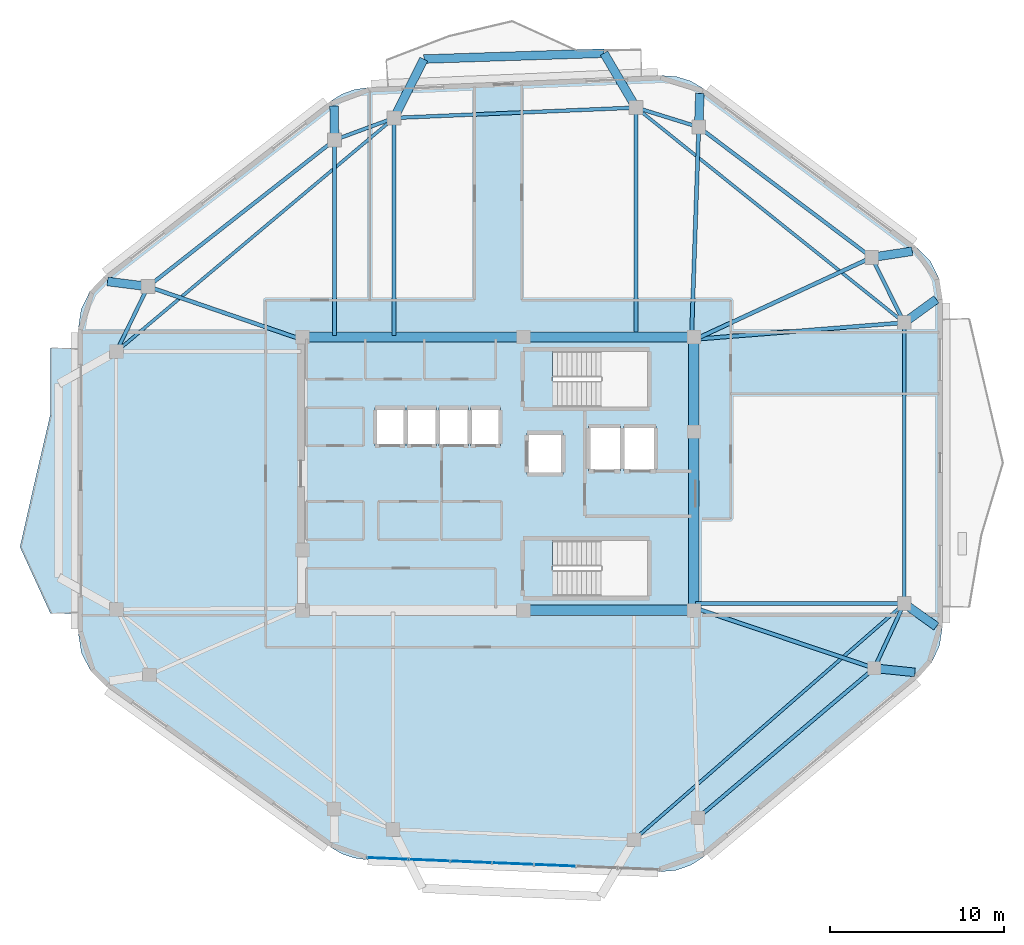
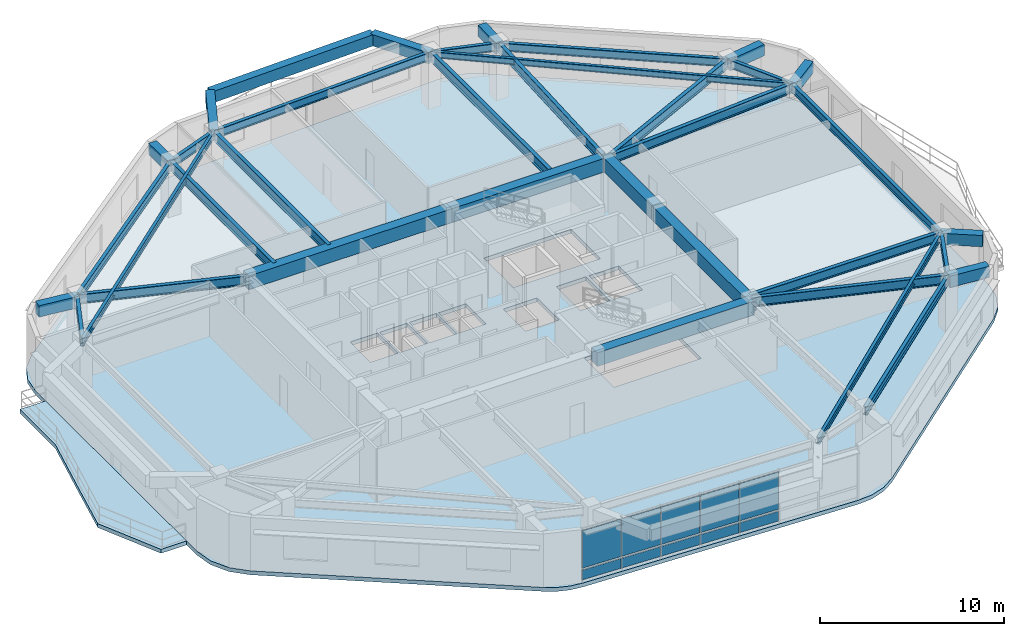
# One storey, part 6 of 13: 37 beams, 10 plates, 2 slabs, 1 element without a shape of its own.
"""IFC4 building model written with IfcOpenShell, lengths in metres."""

from ifc_helpers import new_model, si_unit, direction, frame, origin, origin_2d, place, context, subcontext, project, spatial, polyline, rectangle, i_section, outline, extrude, material, layer, layer_set, material_profile, profile_set, type_object, element, aggregate, save


model = new_model("IFC4")

# Units and contexts
model_context = context("Model", 3, precision=1e-05, world=origin(), true_north=direction((0.0, 1.0)))
body_context = subcontext(model_context, "Body", "Model", "MODEL_VIEW")
ifc_project = project(units=[si_unit("LENGTHUNIT", "METRE"), si_unit("AREAUNIT", "SQUARE_METRE"), si_unit("VOLUMEUNIT", "CUBIC_METRE"), si_unit("PLANEANGLEUNIT", "RADIAN"), si_unit("MASSUNIT", "GRAM", prefix="KILO")], contexts=[model_context])

# Site, building, storey
site_placement = place(None, origin())
site = spatial("IfcSite", under=ifc_project, at=site_placement, CompositionType="ELEMENT")
building_placement = place(site_placement, origin())
building = spatial("IfcBuilding", under=site, at=building_placement, Name="Zulverin Broadcast Headquarters", CompositionType="ELEMENT")
storey_placement = place(building_placement, frame((0.0, 0.0, 278.199951171875)))
storey = spatial("IfcBuildingStorey", under=building, at=storey_placement, Name="L71", CompositionType="ELEMENT", Elevation=278.199951171875)

# Beams
ifc_material_1 = material(Name="Concrete C60/75", Category="concrete")
ifc_material_profile_1 = material_profile(ifc_material_1, rectangle(XDim=0.60009765625, YDim=0.89990234375, at=origin_2d()), Name="Concrete C60/75", Category="concrete")
ifc_profile_set_1 = profile_set([ifc_material_profile_1], Name="Concrete C60/75")
beam_type_1 = type_object("IfcBeamType", Name="BM-CB-600x900", PredefinedType="LINTEL", material=ifc_profile_set_1)
beam_1_placement = place(storey_placement, frame((38.449951171875, 17.324951171875, 3.090087890625), z_axis=(1.0, 0.0, 0.0), x_axis=(0.0, 1.0, 0.0)))
element("IfcBeam", 1, at=beam_1_placement, inside=storey, type_object=beam_type_1, Name="L71 Core Coupling Girder K02-K03", PredefinedType="LINTEL", context=body_context, shape_type="SweptSolid", body=[
    extrude(rectangle(XDim=0.60009765625, YDim=0.89990234375, at=origin_2d()), origin(), (0.0, 0.0, 1.0), 9.824951171875),
])
beam_2_placement = place(storey_placement, frame((48.27490234375, 17.324951171875, 3.090087890625), z_axis=(0.0, 1.0, 0.0), x_axis=(-1.0, 0.0, 0.0)))
element("IfcBeam", 2, at=beam_2_placement, inside=storey, type_object=beam_type_1, Name="L71 Core Coupling Girder K03-K04", PredefinedType="LINTEL", context=body_context, shape_type="SweptSolid", body=[
    extrude(rectangle(XDim=0.60009765625, YDim=0.89990234375, at=origin_2d()), origin(), (0.0, 0.0, 1.0), 10.295166015625),
])
beam_3_placement = place(storey_placement, frame((48.27490234375, 27.6201171875, 3.090087890625), z_axis=(0.0, 1.0, 0.0), x_axis=(-1.0, 0.0, 0.0)))
element("IfcBeam", 3, at=beam_3_placement, inside=storey, type_object=beam_type_1, Name="L71 Core Coupling Girder K04-K05", PredefinedType="LINTEL", context=body_context, shape_type="SweptSolid", body=[
    extrude(rectangle(XDim=0.60009765625, YDim=0.89990234375, at=origin_2d()), origin(), (0.0, 0.0, 1.0), 5.454833984375),
])
beam_4_placement = place(storey_placement, frame((48.27490234375, 33.074951171875, 3.090087890625), z_axis=(-1.0, 0.0, 0.0), x_axis=(0.0, -1.0, 0.0)))
element("IfcBeam", 4, at=beam_4_placement, inside=storey, type_object=beam_type_1, Name="L71 Core Coupling Girder K05-K06", PredefinedType="LINTEL", context=body_context, shape_type="SweptSolid", body=[
    extrude(rectangle(XDim=0.60009765625, YDim=0.89990234375, at=origin_2d()), origin(), (0.0, 0.0, 1.0), 9.824951171875),
])
beam_5_placement = place(storey_placement, frame((38.449951171875, 33.074951171875, 3.090087890625), z_axis=(-1.0, 0.0, 0.0), x_axis=(0.0, -1.0, 0.0)))
element("IfcBeam", 5, at=beam_5_placement, inside=storey, type_object=beam_type_1, Name="L71 Core Coupling Girder K06-K07", PredefinedType="LINTEL", context=body_context, shape_type="SweptSolid", body=[
    extrude(rectangle(XDim=0.60009765625, YDim=0.89990234375, at=origin_2d()), origin(), (0.0, 0.0, 1.0), 12.724853515625),
])
ifc_material_2 = material(Name="Concrete C40/50", Category="concrete")
ifc_material_profile_2 = material_profile(ifc_material_2, rectangle(XDim=0.5, YDim=0.75, at=origin_2d()), Name="Concrete C40/50", Category="concrete")
ifc_profile_set_2 = profile_set([ifc_material_profile_2], Name="Concrete C40/50")
beam_type_2 = type_object("IfcBeamType", Name="BM-RC-500x750", PredefinedType="BEAM", material=ifc_profile_set_2)
beam_6_placement = place(storey_placement, frame((58.6748046875, 13.9892578125, 3.1650390625), z_axis=(0.994775761489, -0.10208420227, 0.0), x_axis=(0.10208420227, 0.994775761489, 0.0)))
element("IfcBeam", 6, at=beam_6_placement, inside=storey, type_object=beam_type_2, Name="L72 Plate Overhang Back-Spanned Beam OVR-04", PredefinedType="BEAM", context=body_context, shape_type="SweptSolid", body=[
    extrude(rectangle(XDim=0.5, YDim=0.75, at=origin_2d()), origin(), (0.0, 0.0, 1.0), 2.350830078125),
])
beam_7_placement = place(storey_placement, frame((60.39990234375, 17.713623046875, 3.1650390625), z_axis=(0.814437263455, -0.580251621192, 0.0), x_axis=(0.580251621192, 0.814437263455, 0.0)))
element("IfcBeam", 7, at=beam_7_placement, inside=storey, type_object=beam_type_2, Name="L72 Plate Overhang Back-Spanned Beam OVR-05", PredefinedType="BEAM", context=body_context, shape_type="SweptSolid", body=[
    extrude(rectangle(XDim=0.5, YDim=0.75, at=origin_2d()), origin(), (0.0, 0.0, 1.0), 2.271728515625),
])
beam_8_placement = place(storey_placement, frame((60.39990234375, 33.903076171875, 3.1650390625), z_axis=(0.80844534591, 0.588571255395, 0.0), x_axis=(-0.588571255395, 0.80844534591, 0.0)))
element("IfcBeam", 8, at=beam_8_placement, inside=storey, type_object=beam_type_2, Name="L72 Plate Overhang Back-Spanned Beam OVR-06", PredefinedType="BEAM", context=body_context, shape_type="SweptSolid", body=[
    extrude(rectangle(XDim=0.5, YDim=0.75, at=origin_2d()), origin(), (0.0, 0.0, 1.0), 2.28857421875),
])
beam_9_placement = place(storey_placement, frame((58.52587890625, 37.661865234375, 3.1650390625), z_axis=(0.988495750069, 0.151248643286, 0.0), x_axis=(-0.151248643286, 0.988495750069, 0.0)))
element("IfcBeam", 9, at=beam_9_placement, inside=storey, type_object=beam_type_2, Name="L72 Plate Overhang Back-Spanned Beam OVR-07", PredefinedType="BEAM", context=body_context, shape_type="SweptSolid", body=[
    extrude(rectangle(XDim=0.5, YDim=0.75, at=origin_2d()), origin(), (0.0, 0.0, 1.0), 2.35986328125),
])
beam_10_placement = place(storey_placement, frame((48.55908203125, 45.172607421875, 3.1650390625), z_axis=(0.032637714701, 0.999467247877, 0.0), x_axis=(-0.999467247877, 0.032637714701, 0.0)))
element("IfcBeam", 10, at=beam_10_placement, inside=storey, type_object=beam_type_2, Name="L72 Plate Overhang Back-Spanned Beam OVR-08", PredefinedType="BEAM", context=body_context, shape_type="SweptSolid", body=[
    extrude(rectangle(XDim=0.5, YDim=0.75, at=origin_2d()), origin(), (0.0, 0.0, 1.0), 1.94482421875),
])
beam_11_placement = place(storey_placement, frame((27.573486328125, 44.4296875, 3.1650390625), z_axis=(-0.015261577794, 0.99988353534, 0.0), x_axis=(-0.99988353534, -0.015261577794, 0.0)))
element("IfcBeam", 11, at=beam_11_placement, inside=storey, type_object=beam_type_2, Name="L72 Plate Overhang Back-Spanned Beam OVR-11", PredefinedType="BEAM", context=body_context, shape_type="SweptSolid", body=[
    extrude(rectangle(XDim=0.5, YDim=0.75, at=origin_2d()), origin(), (0.0, 0.0, 1.0), 1.95166015625),
])
beam_12_placement = place(storey_placement, frame((16.82177734375, 35.98388671875, 3.1650390625), z_axis=(-0.992249101717, 0.124264718012, 0.0), x_axis=(-0.124264718012, -0.992249101717, 0.0)))
element("IfcBeam", 12, at=beam_12_placement, inside=storey, type_object=beam_type_2, Name="L72 Plate Overhang Back-Spanned Beam OVR-12", PredefinedType="BEAM", context=body_context, shape_type="SweptSolid", body=[
    extrude(rectangle(XDim=0.5, YDim=0.75, at=origin_2d()), origin(), (0.0, 0.0, 1.0), 2.351806640625),
])
beam_13_placement = place(storey_placement, frame((44.944580078125, 46.296630859375, 3.1650390625), z_axis=(-0.507398597707, 0.8617114732, 0.0), x_axis=(-0.8617114732, -0.507398597707, 0.0)))
element("IfcBeam", 13, at=beam_13_placement, inside=storey, type_object=beam_type_2, Name="L72 Balcony Column-Framed Cantilever BAL_N-1", PredefinedType="BEAM", context=body_context, shape_type="SweptSolid", body=[
    extrude(rectangle(XDim=0.5, YDim=0.75, at=origin_2d()), origin(), (0.0, 0.0, 1.0), 3.63623046875),
])
beam_14_placement = place(storey_placement, frame((31.006591796875, 45.699951171875, 3.1650390625), z_axis=(0.450063974844, 0.892996314969, 0.0), x_axis=(-0.892996314969, 0.450063974844, 0.0)))
element("IfcBeam", 14, at=beam_14_placement, inside=storey, type_object=beam_type_2, Name="L72 Balcony Column-Framed Cantilever BAL_N-2", PredefinedType="BEAM", context=body_context, shape_type="SweptSolid", body=[
    extrude(rectangle(XDim=0.5, YDim=0.75, at=origin_2d()), origin(), (0.0, 0.0, 1.0), 3.7998046875),
])
beam_15_placement = place(storey_placement, frame((43.099609375, 49.429931640625, 3.1650390625), z_axis=(-0.999474701317, -0.032408662837, 0.0), x_axis=(0.032408662837, -0.999474701317, 0.0)))
element("IfcBeam", 15, at=beam_15_placement, inside=storey, type_object=beam_type_2, Name="L72 Balcony Outer Edge Trimmer Beam BAL_N", PredefinedType="BEAM", context=body_context, shape_type="SweptSolid", body=[
    extrude(rectangle(XDim=0.5, YDim=0.75, at=origin_2d()), origin(), (0.0, 0.0, 1.0), 10.38818359375),
])
ifc_material_3 = material(Name="Structural steel S355JR", Category="steel")
ifc_material_profile_3 = material_profile(ifc_material_3, i_section(OverallWidth=0.179443359375, OverallDepth=0.412841796875, WebThickness=0.009521484375, FlangeThickness=0.01611328125, at=origin_2d()), Name="Structural steel S355JR", Category="steel")
ifc_profile_set_3 = profile_set([ifc_material_profile_3], Name="Structural steel S355JR")
beam_type_3 = type_object("IfcBeamType", Name="BM-UB-406", PredefinedType="JOIST", material=ifc_profile_set_3)
beam_16_placement = place(storey_placement, frame((44.826904296875, 4.1083984375, 3.333740234375), z_axis=(0.753083303383, 0.657925176723, 0.0), x_axis=(-0.657925176723, 0.753083303383, 0.0)))
element("IfcBeam", 16, at=beam_16_placement, inside=storey, type_object=beam_type_3, Name="L71 Chordal Floor Joist J-01", PredefinedType="JOIST", context=body_context, shape_type="SweptSolid", body=[
    extrude(i_section(OverallWidth=0.179443359375, OverallDepth=0.412841796875, WebThickness=0.009521484375, FlangeThickness=0.01611328125, at=origin_2d()), origin(), (0.0, 0.0, 1.0), 20.678955078125),
])
beam_17_placement = place(storey_placement, frame((60.39990234375, 33.903076171875, 3.333740234375), z_axis=(-0.78014690603, 0.625596359493, 0.0), x_axis=(-0.625596359493, -0.78014690603, 0.0)))
element("IfcBeam", 17, at=beam_17_placement, inside=storey, type_object=beam_type_3, Name="L71 Chordal Floor Joist J-02", PredefinedType="JOIST", context=body_context, shape_type="SweptSolid", body=[
    extrude(i_section(OverallWidth=0.179443359375, OverallDepth=0.412841796875, WebThickness=0.009521484375, FlangeThickness=0.01611328125, at=origin_2d()), origin(), (0.0, 0.0, 1.0), 19.810791015625),
])
beam_18_placement = place(storey_placement, frame((31.006591796875, 45.699951171875, 3.333740234375), z_axis=(-0.765273089862, -0.643705754156, 0.0), x_axis=(0.643705754156, -0.765273089862, 0.0)))
element("IfcBeam", 18, at=beam_18_placement, inside=storey, type_object=beam_type_3, Name="L71 Chordal Floor Joist J-03", PredefinedType="JOIST", context=body_context, shape_type="SweptSolid", body=[
    extrude(i_section(OverallWidth=0.179443359375, OverallDepth=0.412841796875, WebThickness=0.009521484375, FlangeThickness=0.01611328125, at=origin_2d()), origin(), (0.0, 0.0, 1.0), 20.916259765625),
])
ifc_material_profile_4 = material_profile(ifc_material_3, i_section(OverallWidth=0.2119140625, OverallDepth=0.54443359375, WebThickness=0.0126953125, FlangeThickness=0.021240234375, at=origin_2d()), Name="Structural steel S355JR", Category="steel")
ifc_profile_set_4 = profile_set([ifc_material_profile_4], Name="Structural steel S355JR")
beam_type_4 = type_object("IfcBeamType", Name="BM-UB-533", PredefinedType="SPANDREL", material=ifc_profile_set_4)
beam_19_placement = place(storey_placement, frame((48.5078125, 5.3701171875, 3.267822265625), z_axis=(0.762782889345, 0.646654671152, 0.0), x_axis=(-0.646654671152, 0.762782889345, 0.0)))
element("IfcBeam", 19, at=beam_19_placement, inside=storey, type_object=beam_type_4, Name="L71 Perimeter Spandrel Beam SP-03", PredefinedType="SPANDREL", context=body_context, shape_type="SweptSolid", body=[
    extrude(i_section(OverallWidth=0.2119140625, OverallDepth=0.54443359375, WebThickness=0.0126953125, FlangeThickness=0.021240234375, at=origin_2d()), origin(), (0.0, 0.0, 1.0), 13.328857421875),
])
beam_20_placement = place(storey_placement, frame((58.6748046875, 13.9892578125, 3.267822265625), z_axis=(0.420294999852, 0.907387520908, 0.0), x_axis=(-0.907387520908, 0.420294999852, 0.0)))
element("IfcBeam", 20, at=beam_20_placement, inside=storey, type_object=beam_type_4, Name="L71 Perimeter Spandrel Beam SP-04", PredefinedType="SPANDREL", context=body_context, shape_type="SweptSolid", body=[
    extrude(i_section(OverallWidth=0.2119140625, OverallDepth=0.54443359375, WebThickness=0.0126953125, FlangeThickness=0.021240234375, at=origin_2d()), origin(), (0.0, 0.0, 1.0), 4.1044921875),
])
beam_21_placement = place(storey_placement, frame((60.39990234375, 17.713623046875, 3.267822265625), z_axis=(0.0, 1.0, 0.0), x_axis=(-1.0, 0.0, 0.0)))
element("IfcBeam", 21, at=beam_21_placement, inside=storey, type_object=beam_type_4, Name="L71 Perimeter Spandrel Beam SP-05", PredefinedType="SPANDREL", context=body_context, shape_type="SweptSolid", body=[
    extrude(i_section(OverallWidth=0.2119140625, OverallDepth=0.54443359375, WebThickness=0.0126953125, FlangeThickness=0.021240234375, at=origin_2d()), origin(), (0.0, 0.0, 1.0), 16.189453125),
])
beam_22_placement = place(storey_placement, frame((60.39990234375, 33.903076171875, 3.267822265625), z_axis=(-0.446190250792, 0.894938131995, 0.0), x_axis=(-0.894938131995, -0.446190250792, 0.0)))
element("IfcBeam", 22, at=beam_22_placement, inside=storey, type_object=beam_type_4, Name="L71 Perimeter Spandrel Beam SP-06", PredefinedType="SPANDREL", context=body_context, shape_type="SweptSolid", body=[
    extrude(i_section(OverallWidth=0.2119140625, OverallDepth=0.54443359375, WebThickness=0.0126953125, FlangeThickness=0.021240234375, at=origin_2d()), origin(), (0.0, 0.0, 1.0), 4.199951171875),
])
beam_23_placement = place(storey_placement, frame((58.52587890625, 37.661865234375, 3.267822265625), z_axis=(-0.798626958847, 0.60182637081, 0.0), x_axis=(-0.60182637081, -0.798626958847, 0.0)))
element("IfcBeam", 23, at=beam_23_placement, inside=storey, type_object=beam_type_4, Name="L71 Perimeter Spandrel Beam SP-07", PredefinedType="SPANDREL", context=body_context, shape_type="SweptSolid", body=[
    extrude(i_section(OverallWidth=0.2119140625, OverallDepth=0.54443359375, WebThickness=0.0126953125, FlangeThickness=0.021240234375, at=origin_2d()), origin(), (0.0, 0.0, 1.0), 12.47998046875),
])
beam_24_placement = place(storey_placement, frame((48.55908203125, 45.172607421875, 3.267822265625), z_axis=(-0.954893359596, 0.296948938033, 0.0), x_axis=(-0.296948938033, -0.954893359596, 0.0)))
element("IfcBeam", 24, at=beam_24_placement, inside=storey, type_object=beam_type_4, Name="L71 Perimeter Spandrel Beam SP-08", PredefinedType="SPANDREL", context=body_context, shape_type="SweptSolid", body=[
    extrude(i_section(OverallWidth=0.2119140625, OverallDepth=0.54443359375, WebThickness=0.0126953125, FlangeThickness=0.021240234375, at=origin_2d()), origin(), (0.0, 0.0, 1.0), 3.78515625),
])
beam_25_placement = place(storey_placement, frame((44.944580078125, 46.296630859375, 3.267822265625), z_axis=(-0.999084926695, -0.042770424958, 0.0), x_axis=(0.042770424958, -0.999084926695, 0.0)))
element("IfcBeam", 25, at=beam_25_placement, inside=storey, type_object=beam_type_4, Name="L71 Perimeter Spandrel Beam SP-09", PredefinedType="SPANDREL", context=body_context, shape_type="SweptSolid", body=[
    extrude(i_section(OverallWidth=0.2119140625, OverallDepth=0.54443359375, WebThickness=0.0126953125, FlangeThickness=0.021240234375, at=origin_2d()), origin(), (0.0, 0.0, 1.0), 13.95068359375),
])
beam_26_placement = place(storey_placement, frame((31.006591796875, 45.699951171875, 3.267822265625), z_axis=(-0.937860540342, -0.347012401607, 0.0), x_axis=(0.347012401607, -0.937860540342, 0.0)))
element("IfcBeam", 26, at=beam_26_placement, inside=storey, type_object=beam_type_4, Name="L71 Perimeter Spandrel Beam SP-10", PredefinedType="SPANDREL", context=body_context, shape_type="SweptSolid", body=[
    extrude(i_section(OverallWidth=0.2119140625, OverallDepth=0.54443359375, WebThickness=0.0126953125, FlangeThickness=0.021240234375, at=origin_2d()), origin(), (0.0, 0.0, 1.0), 3.66064453125),
])
beam_27_placement = place(storey_placement, frame((27.573486328125, 44.4296875, 3.267822265625), z_axis=(-0.786388352061, -0.617732433779, 0.0), x_axis=(0.617732433779, -0.786388352061, 0.0)))
element("IfcBeam", 27, at=beam_27_placement, inside=storey, type_object=beam_type_4, Name="L71 Perimeter Spandrel Beam SP-11", PredefinedType="SPANDREL", context=body_context, shape_type="SweptSolid", body=[
    extrude(i_section(OverallWidth=0.2119140625, OverallDepth=0.54443359375, WebThickness=0.0126953125, FlangeThickness=0.021240234375, at=origin_2d()), origin(), (0.0, 0.0, 1.0), 13.67236328125),
])
beam_28_placement = place(storey_placement, frame((16.82177734375, 35.98388671875, 3.267822265625), z_axis=(-0.437178884994, -0.899374572976, 0.0), x_axis=(0.899374572976, -0.437178884994, 0.0)))
element("IfcBeam", 28, at=beam_28_placement, inside=storey, type_object=beam_type_4, Name="L71 Perimeter Spandrel Beam SP-12", PredefinedType="SPANDREL", context=body_context, shape_type="SweptSolid", body=[
    extrude(i_section(OverallWidth=0.2119140625, OverallDepth=0.54443359375, WebThickness=0.0126953125, FlangeThickness=0.021240234375, at=origin_2d()), origin(), (0.0, 0.0, 1.0), 4.167236328125),
])
ifc_material_profile_5 = material_profile(ifc_material_3, i_section(OverallWidth=0.230224609375, OverallDepth=0.6171875, WebThickness=0.01318359375, FlangeThickness=0.022216796875, at=origin_2d()), Name="Structural steel S355JR", Category="steel")
ifc_profile_set_5 = profile_set([ifc_material_profile_5], Name="Structural steel S355JR")
beam_type_5 = type_object("IfcBeamType", Name="BM-UB-610", PredefinedType="BEAM", material=ifc_profile_set_5)
beam_29_placement = place(storey_placement, frame((48.375, 17.449951171875, 3.2314453125), z_axis=(0.947923372096, -0.318498478228, 0.0), x_axis=(0.318498478228, 0.947923372096, 0.0)))
element("IfcBeam", 29, at=beam_29_placement, inside=storey, type_object=beam_type_5, Name="L71 Radial Primary Floor Beam RB-04", PredefinedType="BEAM", context=body_context, shape_type="SweptSolid", body=[
    extrude(i_section(OverallWidth=0.230224609375, OverallDepth=0.6171875, WebThickness=0.01318359375, FlangeThickness=0.022216796875, at=origin_2d()), origin(), (0.0, 0.0, 1.0), 10.86572265625),
])
beam_30_placement = place(storey_placement, frame((48.375, 17.713623046875, 3.2314453125), z_axis=(1.0, 0.0, 0.0), x_axis=(0.0, 1.0, 0.0)))
element("IfcBeam", 30, at=beam_30_placement, inside=storey, type_object=beam_type_5, Name="L71 Radial Primary Floor Beam RB-05", PredefinedType="BEAM", context=body_context, shape_type="SweptSolid", body=[
    extrude(i_section(OverallWidth=0.230224609375, OverallDepth=0.6171875, WebThickness=0.01318359375, FlangeThickness=0.022216796875, at=origin_2d()), origin(), (0.0, 0.0, 1.0), 12.02490234375),
])
beam_31_placement = place(storey_placement, frame((48.375, 32.949951171875, 3.2314453125), z_axis=(0.996873444671, 0.079014779064, 0.0), x_axis=(-0.079014779064, 0.996873444671, 0.0)))
element("IfcBeam", 31, at=beam_31_placement, inside=storey, type_object=beam_type_5, Name="L71 Radial Primary Floor Beam RB-06", PredefinedType="BEAM", context=body_context, shape_type="SweptSolid", body=[
    extrude(i_section(OverallWidth=0.230224609375, OverallDepth=0.6171875, WebThickness=0.01318359375, FlangeThickness=0.022216796875, at=origin_2d()), origin(), (0.0, 0.0, 1.0), 12.0625),
])
beam_32_placement = place(storey_placement, frame((48.375, 32.949951171875, 3.2314453125), z_axis=(0.90704288978, 0.421038235912, 0.0), x_axis=(-0.421038235912, 0.90704288978, 0.0)))
element("IfcBeam", 32, at=beam_32_placement, inside=storey, type_object=beam_type_5, Name="L71 Radial Primary Floor Beam RB-07", PredefinedType="BEAM", context=body_context, shape_type="SweptSolid", body=[
    extrude(i_section(OverallWidth=0.230224609375, OverallDepth=0.6171875, WebThickness=0.01318359375, FlangeThickness=0.022216796875, at=origin_2d()), origin(), (0.0, 0.0, 1.0), 11.191162109375),
])
beam_33_placement = place(storey_placement, frame((48.14990234375, 33.175048828125, 3.2314453125), z_axis=(0.034085428247, 0.999418922965, 0.0), x_axis=(-0.999418922965, 0.034085428247, 0.0)))
element("IfcBeam", 33, at=beam_33_placement, inside=storey, type_object=beam_type_5, Name="L71 Radial Primary Floor Beam RB-08", PredefinedType="BEAM", context=body_context, shape_type="SweptSolid", body=[
    extrude(i_section(OverallWidth=0.230224609375, OverallDepth=0.6171875, WebThickness=0.01318359375, FlangeThickness=0.022216796875, at=origin_2d()), origin(), (0.0, 0.0, 1.0), 12.004638671875),
])
beam_34_placement = place(storey_placement, frame((44.944580078125, 33.175048828125, 3.2314453125), z_axis=(0.0, 1.0, 0.0), x_axis=(-1.0, 0.0, 0.0)))
element("IfcBeam", 34, at=beam_34_placement, inside=storey, type_object=beam_type_5, Name="L71 Radial Primary Floor Beam RB-09", PredefinedType="BEAM", context=body_context, shape_type="SweptSolid", body=[
    extrude(i_section(OverallWidth=0.230224609375, OverallDepth=0.6171875, WebThickness=0.01318359375, FlangeThickness=0.022216796875, at=origin_2d()), origin(), (0.0, 0.0, 1.0), 13.12158203125),
])
beam_35_placement = place(storey_placement, frame((31.006591796875, 33.175048828125, 3.2314453125), z_axis=(0.0, 1.0, 0.0), x_axis=(-1.0, 0.0, 0.0)))
element("IfcBeam", 35, at=beam_35_placement, inside=storey, type_object=beam_type_5, Name="L71 Radial Primary Floor Beam RB-10", PredefinedType="BEAM", context=body_context, shape_type="SweptSolid", body=[
    extrude(i_section(OverallWidth=0.230224609375, OverallDepth=0.6171875, WebThickness=0.01318359375, FlangeThickness=0.022216796875, at=origin_2d()), origin(), (0.0, 0.0, 1.0), 12.52490234375),
])
beam_36_placement = place(storey_placement, frame((27.573486328125, 33.175048828125, 3.2314453125), z_axis=(0.0, 1.0, 0.0), x_axis=(-1.0, 0.0, 0.0)))
element("IfcBeam", 36, at=beam_36_placement, inside=storey, type_object=beam_type_5, Name="L71 Radial Primary Floor Beam RB-11", PredefinedType="BEAM", context=body_context, shape_type="SweptSolid", body=[
    extrude(i_section(OverallWidth=0.230224609375, OverallDepth=0.6171875, WebThickness=0.01318359375, FlangeThickness=0.022216796875, at=origin_2d()), origin(), (0.0, 0.0, 1.0), 11.254638671875),
])
beam_37_placement = place(storey_placement, frame((25.625, 32.949951171875, 3.2314453125), z_axis=(-0.945427859505, 0.325831493984, 0.0), x_axis=(-0.325831493984, -0.945427859505, 0.0)))
element("IfcBeam", 37, at=beam_37_placement, inside=storey, type_object=beam_type_5, Name="L71 Radial Primary Floor Beam RB-12", PredefinedType="BEAM", context=body_context, shape_type="SweptSolid", body=[
    extrude(i_section(OverallWidth=0.230224609375, OverallDepth=0.6171875, WebThickness=0.01318359375, FlangeThickness=0.022216796875, at=origin_2d()), origin(), (0.0, 0.0, 1.0), 9.311279296875),
])

# Curtain wall, plates
ifc_material_4 = material(Name="High-zone solar-control unitised curtain wall", Category="aluminium")
curtain_wall_type = type_object("IfcCurtainWallType", Name="CW-TWR-UPP", PredefinedType="USERDEFINED", material=ifc_material_4)
curtain_wall_placement = place(storey_placement, origin())
curtain_wall = element("IfcCurtainWall", 38, at=curtain_wall_placement, inside=storey, type_object=curtain_wall_type, Name="L71 Unitised Curtain Wall CW-L71-E1", ObjectType="UNITISED CURTAIN WALL", PredefinedType="USERDEFINED")
ifc_material_5 = material(Name="Low-E double-glazed pale-silver vision glass", Category="glass")
ifc_layer_1 = layer(ifc_material_5, 0.035888671875, Name="Low-E double-glazed pale-silver vision glass", Category="glass")
ifc_layer_set_1 = layer_set([ifc_layer_1], Name="Low-E double-glazed pale-silver vision glass")
plate_type_1 = type_object("IfcPlateType", Name="CW-PNL-GLZ", PredefinedType="CURTAIN_PANEL", material=ifc_layer_set_1)
plate_1_placement = place(storey_placement, frame((30.6318359375, 3.023681640625, 0.914794921875), z_axis=(0.0, 0.0, 1.0), x_axis=(0.99915627139, -0.041070005388, 0.0)))
plate_1 = element("IfcPlate", 39, at=plate_1_placement, type_object=plate_type_1, Name="CW-L71-E1 Vision Panel 00", PredefinedType="CURTAIN_PANEL", context=body_context, shape_type="SweptSolid", body=[
    extrude(rectangle(XDim=2.370849609375, YDim=0.035888671875, at=origin_2d()), origin(), (0.0, 0.0, 1.0), 2.4853515625),
])
plate_2_placement = place(storey_placement, frame((33.040771484375, 2.9248046875, 0.914794921875), z_axis=(0.0, 0.0, 1.0), x_axis=(0.99915627139, -0.041070005388, 0.0)))
plate_2 = element("IfcPlate", 40, at=plate_2_placement, type_object=plate_type_1, Name="CW-L71-E1 Vision Panel 01", PredefinedType="CURTAIN_PANEL", context=body_context, shape_type="SweptSolid", body=[
    extrude(rectangle(XDim=2.370849609375, YDim=0.035888671875, at=origin_2d()), origin(), (0.0, 0.0, 1.0), 2.4853515625),
])
plate_3_placement = place(storey_placement, frame((35.44970703125, 2.82568359375, 0.914794921875), z_axis=(0.0, 0.0, 1.0), x_axis=(0.99915627139, -0.041070005388, 0.0)))
plate_3 = element("IfcPlate", 41, at=plate_3_placement, type_object=plate_type_1, Name="CW-L71-E1 Vision Panel 02", PredefinedType="CURTAIN_PANEL", context=body_context, shape_type="SweptSolid", body=[
    extrude(rectangle(XDim=2.370849609375, YDim=0.035888671875, at=origin_2d()), origin(), (0.0, 0.0, 1.0), 2.4853515625),
])
plate_4_placement = place(storey_placement, frame((37.8583984375, 2.726806640625, 0.914794921875), z_axis=(0.0, 0.0, 1.0), x_axis=(0.99915627139, -0.041070005388, 0.0)))
plate_4 = element("IfcPlate", 42, at=plate_4_placement, type_object=plate_type_1, Name="CW-L71-E1 Vision Panel 03", PredefinedType="CURTAIN_PANEL", context=body_context, shape_type="SweptSolid", body=[
    extrude(rectangle(XDim=2.370849609375, YDim=0.035888671875, at=origin_2d()), origin(), (0.0, 0.0, 1.0), 2.4853515625),
])
plate_5_placement = place(storey_placement, frame((40.267333984375, 2.627685546875, 0.914794921875), z_axis=(0.0, 0.0, 1.0), x_axis=(0.99915627139, -0.041070005388, 0.0)))
plate_5 = element("IfcPlate", 43, at=plate_5_placement, type_object=plate_type_1, Name="CW-L71-E1 Vision Panel 04", PredefinedType="CURTAIN_PANEL", context=body_context, shape_type="SweptSolid", body=[
    extrude(rectangle(XDim=2.370849609375, YDim=0.035888671875, at=origin_2d()), origin(), (0.0, 0.0, 1.0), 2.4853515625),
])
ifc_material_6 = material(Name="Insulated brushed pale-aluminium spandrel cassette", Category="aluminium")
ifc_layer_2 = layer(ifc_material_6, 0.050048828125, Name="Insulated brushed pale-aluminium spandrel cassette", Category="aluminium")
ifc_layer_set_2 = layer_set([ifc_layer_2], Name="Insulated brushed pale-aluminium spandrel cassette")
plate_type_2 = type_object("IfcPlateType", Name="CW-PNL-SPN", PredefinedType="CURTAIN_PANEL", material=ifc_layer_set_2)
plate_6_placement = place(storey_placement, frame((30.6318359375, 3.023681640625, 0.14013671875), z_axis=(0.0, 0.0, 1.0), x_axis=(0.99915627139, -0.041070005388, 0.0)))
plate_6 = element("IfcPlate", 44, at=plate_6_placement, type_object=plate_type_2, Name="CW-L71-E1 Spandrel Cassette 00", PredefinedType="CURTAIN_PANEL", context=body_context, shape_type="SweptSolid", body=[
    extrude(rectangle(XDim=2.370849609375, YDim=0.050048828125, at=origin_2d()), origin(), (0.0, 0.0, 1.0), 0.64453125),
])
plate_7_placement = place(storey_placement, frame((33.040771484375, 2.9248046875, 0.14013671875), z_axis=(0.0, 0.0, 1.0), x_axis=(0.99915627139, -0.041070005388, 0.0)))
plate_7 = element("IfcPlate", 45, at=plate_7_placement, type_object=plate_type_2, Name="CW-L71-E1 Spandrel Cassette 01", PredefinedType="CURTAIN_PANEL", context=body_context, shape_type="SweptSolid", body=[
    extrude(rectangle(XDim=2.370849609375, YDim=0.050048828125, at=origin_2d()), origin(), (0.0, 0.0, 1.0), 0.64453125),
])
plate_8_placement = place(storey_placement, frame((35.44970703125, 2.82568359375, 0.14013671875), z_axis=(0.0, 0.0, 1.0), x_axis=(0.99915627139, -0.041070005388, 0.0)))
plate_8 = element("IfcPlate", 46, at=plate_8_placement, type_object=plate_type_2, Name="CW-L71-E1 Spandrel Cassette 02", PredefinedType="CURTAIN_PANEL", context=body_context, shape_type="SweptSolid", body=[
    extrude(rectangle(XDim=2.370849609375, YDim=0.050048828125, at=origin_2d()), origin(), (0.0, 0.0, 1.0), 0.64453125),
])
plate_9_placement = place(storey_placement, frame((37.8583984375, 2.726806640625, 0.14013671875), z_axis=(0.0, 0.0, 1.0), x_axis=(0.99915627139, -0.041070005388, 0.0)))
plate_9 = element("IfcPlate", 47, at=plate_9_placement, type_object=plate_type_2, Name="CW-L71-E1 Spandrel Cassette 03", PredefinedType="CURTAIN_PANEL", context=body_context, shape_type="SweptSolid", body=[
    extrude(rectangle(XDim=2.370849609375, YDim=0.050048828125, at=origin_2d()), origin(), (0.0, 0.0, 1.0), 0.64453125),
])
plate_10_placement = place(storey_placement, frame((40.267333984375, 2.627685546875, 0.14013671875), z_axis=(0.0, 0.0, 1.0), x_axis=(0.99915627139, -0.041070005388, 0.0)))
plate_10 = element("IfcPlate", 48, at=plate_10_placement, type_object=plate_type_2, Name="CW-L71-E1 Spandrel Cassette 04", PredefinedType="CURTAIN_PANEL", context=body_context, shape_type="SweptSolid", body=[
    extrude(rectangle(XDim=2.370849609375, YDim=0.050048828125, at=origin_2d()), origin(), (0.0, 0.0, 1.0), 0.64453125),
])
aggregate(curtain_wall, [plate_6, plate_1, plate_7, plate_2, plate_8, plate_3, plate_9, plate_4, plate_10, plate_5])

# Slabs
ifc_layer_3 = layer(ifc_material_2, 0.260009765625, Name="Concrete C40/50", Category="concrete")
ifc_layer_set_3 = layer_set([ifc_layer_3], Name="Concrete C40/50")
slab_type_1 = type_object("IfcSlabType", Name="SLB-BAL-260", PredefinedType="FLOOR", material=ifc_layer_set_3)
slab_1_placement = place(storey_placement, frame((0.0, 0.0, -0.260009765625)))
element("IfcSlab", 49, at=slab_1_placement, inside=storey, type_object=slab_type_1, Name="L71 Cantilevered Planted Balcony Slab BAL_W", PredefinedType="FLOOR", context=body_context, shape_type="SweptSolid", body=[
    extrude(outline(polyline([(12.800048828125, 17.151611328125), (12.800048828125, 32.447998046875), (11.199951171875, 32.447998046875), (11.199951171875, 28.623779296875), (10.310791015625, 24.7998046875), (9.446044921875, 20.975830078125), (11.199951171875, 17.151611328125), (12.800048828125, 17.151611328125)])), origin(), (0.0, 0.0, 1.0), 0.260009765625),
])
ifc_layer_4 = layer(ifc_material_2, 0.260009765625, Name="Concrete C40/50", Category="concrete")
ifc_layer_set_4 = layer_set([ifc_layer_4], Name="Concrete C40/50")
slab_type_2 = type_object("IfcSlabType", Name="SLB-TWR-260", PredefinedType="FLOOR", material=ifc_layer_set_4)
slab_2_placement = place(storey_placement, frame((0.0, 0.0, -0.260009765625)))
element("IfcSlab", 50, at=slab_2_placement, inside=storey, type_object=slab_type_2, Name="L71 Main Structural Floor Slab", PredefinedType="FLOOR", context=body_context, shape_type="SweptSolid", body=[
    extrude(outline(polyline([(27.364990234375, 3.66162109375), (28.00048828125, 3.293212890625), (28.695068359375, 3.05419921875), (29.422607421875, 2.953369140625), (46.284423828125, 2.26025390625), (47.21337890625, 2.33642578125), (48.095703125, 2.63671875), (48.878662109375, 3.142333984375), (61.238037109375, 13.480712890625), (61.97265625, 14.30419921875), (62.439697265625, 15.3037109375), (62.60009765625, 16.3955078125), (62.60009765625, 35.25), (62.418212890625, 36.4111328125), (61.890625, 37.4609375), (61.0673828125, 38.299560546875), (48.831298828125, 47.3974609375), (48.087646484375, 47.8291015625), (47.265869140625, 48.08251953125), (46.407958984375, 48.144775390625), (29.499267578125, 47.44970703125), (28.726318359375, 47.337646484375), (27.992919921875, 47.070068359375), (27.329345703125, 46.657958984375), (14.274169921875, 36.552978515625), (13.481201171875, 35.71875), (12.974365234375, 34.685546875), (12.800048828125, 33.548095703125), (12.800048828125, 16.0517578125), (12.988525390625, 14.86962890625), (13.535400390625, 13.804931640625), (14.386474609375, 12.963134765625), (27.364990234375, 3.66162109375)]), holes=[polyline([(40.155029296875, 30.75), (40.130126953125, 30.75), (40.130126953125, 32.25), (45.60009765625, 32.25), (45.60009765625, 29.050048828125), (40.155029296875, 29.050048828125), (40.155029296875, 30.75)]), polyline([(40.155029296875, 19.85009765625), (40.130126953125, 19.85009765625), (40.130126953125, 21.35009765625), (45.60009765625, 21.35009765625), (45.60009765625, 18.14990234375), (40.155029296875, 18.14990234375), (40.155029296875, 19.85009765625)]), polyline([(29.89990234375, 26.800048828125), (31.6201171875, 26.800048828125), (31.6201171875, 29.0), (29.89990234375, 29.0), (29.89990234375, 26.800048828125)]), polyline([(31.739990234375, 26.800048828125), (33.4599609375, 26.800048828125), (33.4599609375, 29.0), (31.739990234375, 29.0), (31.739990234375, 26.800048828125)]), polyline([(33.580078125, 26.800048828125), (35.300048828125, 26.800048828125), (35.300048828125, 29.0), (33.580078125, 29.0), (33.580078125, 26.800048828125)]), polyline([(35.419921875, 26.800048828125), (37.139892578125, 26.800048828125), (37.139892578125, 29.0), (35.419921875, 29.0), (35.419921875, 26.800048828125)]), polyline([(42.199951171875, 25.35009765625), (44.050048828125, 25.35009765625), (44.050048828125, 27.949951171875), (42.199951171875, 27.949951171875), (42.199951171875, 25.35009765625)]), polyline([(44.25, 25.35009765625), (46.10009765625, 25.35009765625), (46.10009765625, 27.949951171875), (44.25, 27.949951171875), (44.25, 25.35009765625)]), polyline([(38.64990234375, 25.14990234375), (40.75, 25.14990234375), (40.75, 27.550048828125), (38.64990234375, 27.550048828125), (38.64990234375, 25.14990234375)])]), origin(), (0.0, 0.0, 1.0), 0.260009765625),
])

save(model, "model.ifc")
